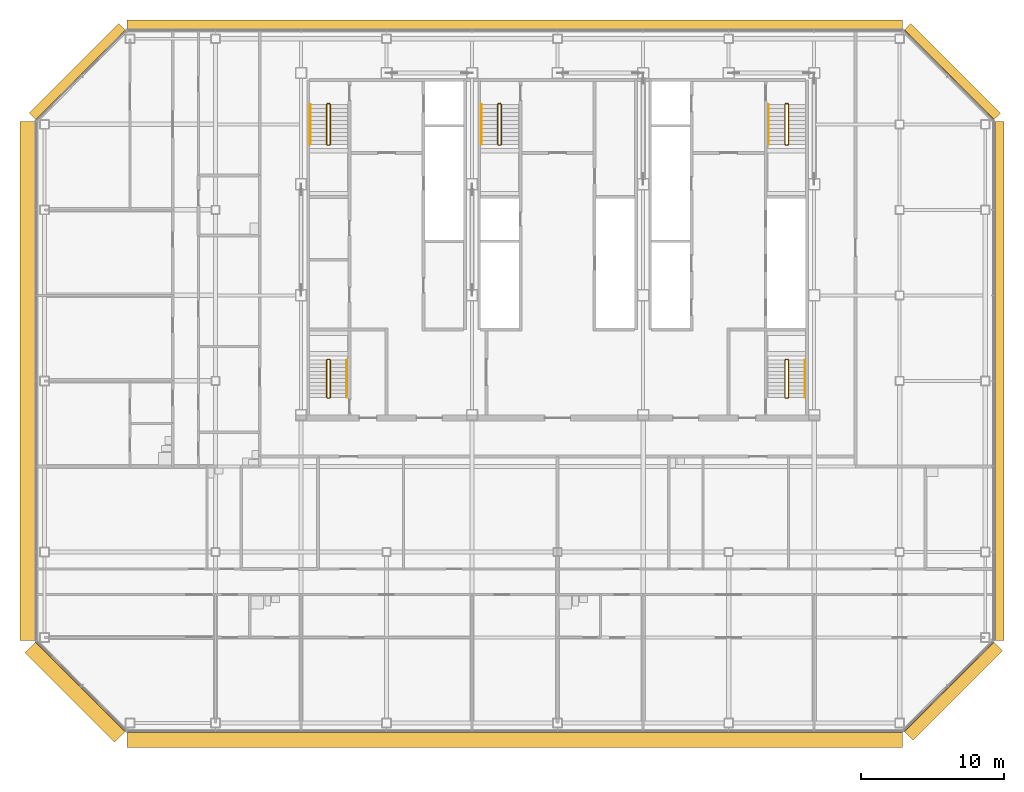
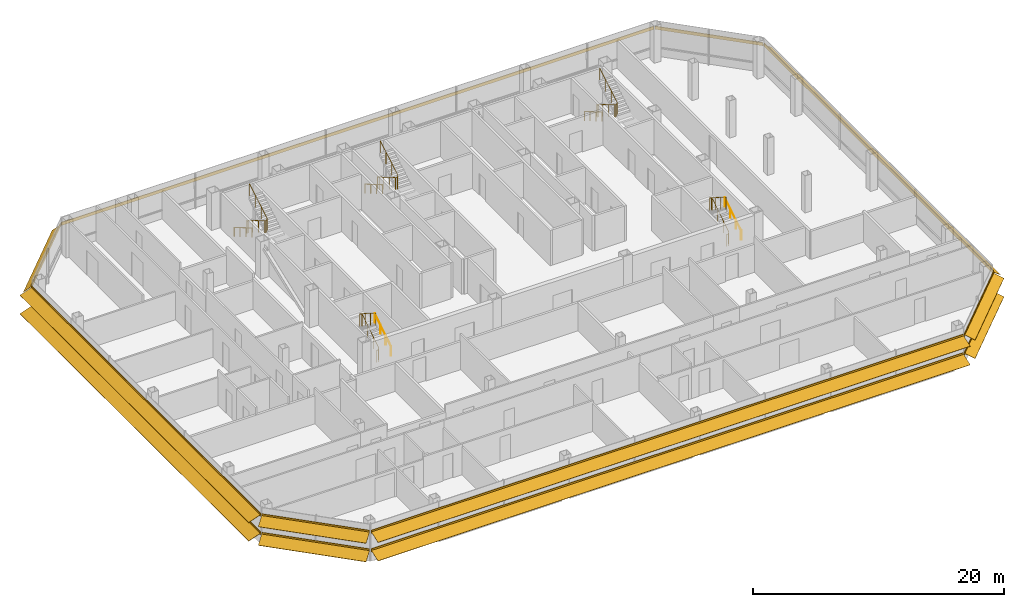
# One storey, part 25 of 26: 10 railings, 8 shading devices.
"""IFC4 building model written with IfcOpenShell, lengths in metres."""

from ifc_helpers import new_model, si_unit, direction, frame, origin, origin_2d, place, context, subcontext, project, spatial, polyline, circle, outline, composite_profile, extrude, material, type_object, element, save


model = new_model("IFC4")

# Units and contexts
model_context = context("Model", 3, precision=1e-05, world=origin(), true_north=direction((0.0, 1.0)))
body_context = subcontext(model_context, "Body", "Model", "MODEL_VIEW")
ifc_project = project(units=[si_unit("LENGTHUNIT", "METRE"), si_unit("AREAUNIT", "SQUARE_METRE"), si_unit("VOLUMEUNIT", "CUBIC_METRE"), si_unit("PLANEANGLEUNIT", "RADIAN"), si_unit("MASSUNIT", "GRAM", prefix="KILO")], contexts=[model_context])

# Site, building, storey
site_placement = place(None, origin())
site = spatial("IfcSite", under=ifc_project, at=site_placement, CompositionType="ELEMENT")
building_placement = place(site_placement, origin())
building = spatial("IfcBuilding", under=site, at=building_placement, Name="Sorahane Residences", CompositionType="ELEMENT")
storey_placement = place(building_placement, frame((0.0, 0.0, 215.39990234375)))
storey = spatial("IfcBuildingStorey", under=building, at=storey_placement, Name="L50", CompositionType="ELEMENT", Elevation=215.39990234375)

# Shading devices
ifc_material_1 = material(Name="Terracotta anodised aluminium", Category="masonry")
shading_device_type_1 = type_object("IfcShadingDeviceType", Name="Louvre sunshade blade E terracotta aluminium 700", PredefinedType="JALOUSIE", material=ifc_material_1)
shading_device_1_placement = place(storey_placement, frame((54.60009765625, 5.801513671875, 2.7001953125), z_axis=(0.0, 1.0, 0.0), x_axis=(-1.0, 0.0, 0.0)))
element("IfcShadingDevice", 1, at=shading_device_1_placement, inside=storey, type_object=shading_device_type_1, Name="Louvre sunshade blade bank E L50 E1", PredefinedType="JALOUSIE", context=body_context, shape_type="SweptSolid", body=[
    extrude(outline(polyline([(-0.719970703125, -0.49365234375), (-0.719970703125, -0.523681640625), (-0.080078125, -0.05859375), (-0.080078125, -0.14990234375), (-0.02001953125, -0.14990234375), (-0.02001953125, -0.014892578125), (-0.02001953125, 0.014892578125), (-0.02001953125, 0.14990234375), (-0.080078125, 0.14990234375), (-0.080078125, -0.028564453125), (-0.719970703125, -0.49365234375)])), origin(), (0.0, 0.0, 1.0), 36.39697265625),
])
ifc_material_2 = material(Name="Terracotta anodised aluminium", Category="masonry")
shading_device_type_2 = type_object("IfcShadingDeviceType", Name="Louvre sunshade blade N terracotta aluminium 700", PredefinedType="JALOUSIE", material=ifc_material_2)
shading_device_2_placement = place(storey_placement, frame((48.198486328125, 48.60009765625, 2.7001953125), z_axis=(-1.0, 0.0, 0.0), x_axis=(0.0, -1.0, 0.0)))
element("IfcShadingDevice", 2, at=shading_device_2_placement, inside=storey, type_object=shading_device_type_2, Name="Louvre sunshade blade bank N L50 N1", PredefinedType="JALOUSIE", context=body_context, shape_type="SweptSolid", body=[
    extrude(outline(polyline([(-0.719970703125, -0.660888671875), (-0.719970703125, -0.69091796875), (-0.080078125, -0.072998046875), (-0.080078125, -0.14990234375), (-0.02001953125, -0.14990234375), (-0.02001953125, -0.014892578125), (-0.02001953125, 0.014892578125), (-0.02001953125, 0.14990234375), (-0.080078125, 0.14990234375), (-0.080078125, -0.04296875), (-0.719970703125, -0.660888671875)])), origin(), (0.0, 0.0, 1.0), 54.39697265625),
])
ifc_material_3 = material(Name="Terracotta anodised aluminium", Category="masonry")
shading_device_type_3 = type_object("IfcShadingDeviceType", Name="Louvre sunshade blade NE terracotta aluminium 700", PredefinedType="JALOUSIE", material=ifc_material_3)
shading_device_3_placement = place(storey_placement, frame((54.564697265625, 42.283935546875, 2.7001953125), z_axis=(-0.707106781187, 0.707106781187, 0.0), x_axis=(-0.707106781187, -0.707106781187, 0.0)))
element("IfcShadingDevice", 3, at=shading_device_3_placement, inside=storey, type_object=shading_device_type_3, Name="Louvre sunshade blade bank NE L50 NE1", PredefinedType="JALOUSIE", context=body_context, shape_type="SweptSolid", body=[
    extrude(outline(polyline([(-0.719970703125, -0.572509765625), (-0.719970703125, -0.602294921875), (-0.080078125, -0.065185546875), (-0.080078125, -0.14990234375), (-0.02001953125, -0.14990234375), (-0.02001953125, -0.014892578125), (-0.02001953125, 0.014892578125), (-0.02001953125, 0.14990234375), (-0.080078125, 0.14990234375), (-0.080078125, -0.035400390625), (-0.719970703125, -0.572509765625)])), origin(), (0.0, 0.0, 1.0), 8.88232421875),
])
ifc_material_4 = material(Name="Terracotta anodised aluminium", Category="masonry")
shading_device_type_4 = type_object("IfcShadingDeviceType", Name="Louvre sunshade blade NW terracotta aluminium 700", PredefinedType="JALOUSIE", material=ifc_material_4)
shading_device_4_placement = place(storey_placement, frame((-6.283935546875, 48.564697265625, 2.7001953125), z_axis=(-0.707106781187, -0.707106781187, 0.0), x_axis=(0.707106781187, -0.707106781187, 0.0)))
element("IfcShadingDevice", 4, at=shading_device_4_placement, inside=storey, type_object=shading_device_type_4, Name="Louvre sunshade blade bank NW L50 NW1", PredefinedType="JALOUSIE", context=body_context, shape_type="SweptSolid", body=[
    extrude(outline(polyline([(-0.719970703125, -0.660888671875), (-0.719970703125, -0.69091796875), (-0.080078125, -0.072998046875), (-0.080078125, -0.14990234375), (-0.02001953125, -0.14990234375), (-0.02001953125, -0.014892578125), (-0.02001953125, 0.014892578125), (-0.02001953125, 0.14990234375), (-0.080078125, 0.14990234375), (-0.080078125, -0.04296875), (-0.719970703125, -0.660888671875)])), origin(), (0.0, 0.0, 1.0), 8.88232421875),
])
ifc_material_5 = material(Name="Terracotta anodised aluminium", Category="masonry")
shading_device_type_5 = type_object("IfcShadingDeviceType", Name="Louvre sunshade blade S terracotta aluminium 1100", PredefinedType="JALOUSIE", material=ifc_material_5)
shading_device_5_placement = place(storey_placement, frame((-6.198486328125, -0.60009765625, 0.900146484375), z_axis=(1.0, 0.0, 0.0), x_axis=(0.0, 1.0, 0.0)))
element("IfcShadingDevice", 5, at=shading_device_5_placement, inside=storey, type_object=shading_device_type_5, Name="Louvre sunshade blade bank S L50 S1", PredefinedType="JALOUSIE", context=body_context, shape_type="SweptSolid", body=[
    extrude(composite_profile([outline(polyline([(-1.1201171875, -0.385498046875), (-1.1201171875, -0.415283203125), (-0.080078125, -0.036865234375), (-0.080078125, -0.14990234375), (-0.02001953125, -0.14990234375), (-0.02001953125, -0.014892578125), (-0.02001953125, 0.014892578125), (-0.02001953125, 0.14990234375), (-0.080078125, 0.14990234375), (-0.080078125, -0.0068359375), (-1.1201171875, -0.385498046875)])), outline(polyline([(-1.1201171875, 1.41455078125), (-1.1201171875, 1.384521484375), (-0.080078125, 1.76318359375), (-0.080078125, 1.64990234375), (-0.02001953125, 1.64990234375), (-0.02001953125, 1.784912109375), (-0.02001953125, 1.81494140625), (-0.02001953125, 1.949951171875), (-0.080078125, 1.949951171875), (-0.080078125, 1.793212890625), (-1.1201171875, 1.41455078125)]))]), origin(), (0.0, 0.0, 1.0), 54.39697265625),
])
ifc_material_6 = material(Name="Terracotta anodised aluminium", Category="masonry")
shading_device_type_6 = type_object("IfcShadingDeviceType", Name="Louvre sunshade blade SE terracotta aluminium 900", PredefinedType="JALOUSIE", material=ifc_material_6)
shading_device_6_placement = place(storey_placement, frame((48.283935546875, -0.564697265625, 0.900146484375), z_axis=(0.707106781187, 0.707106781187, 0.0), x_axis=(-0.707106781187, 0.707106781187, 0.0)))
element("IfcShadingDevice", 6, at=shading_device_6_placement, inside=storey, type_object=shading_device_type_6, Name="Louvre sunshade blade bank SE L50 SE1", PredefinedType="JALOUSIE", context=body_context, shape_type="SweptSolid", body=[
    extrude(composite_profile([outline(polyline([(-0.919921875, -0.3486328125), (-0.919921875, -0.378662109375), (-0.080078125, -0.039306640625), (-0.080078125, -0.14990234375), (-0.02001953125, -0.14990234375), (-0.02001953125, -0.014892578125), (-0.02001953125, 0.014892578125), (-0.02001953125, 0.14990234375), (-0.080078125, 0.14990234375), (-0.080078125, -0.00927734375), (-0.919921875, -0.3486328125)])), outline(polyline([(-0.919921875, 1.451416015625), (-0.919921875, 1.42138671875), (-0.080078125, 1.7607421875), (-0.080078125, 1.64990234375), (-0.02001953125, 1.64990234375), (-0.02001953125, 1.784912109375), (-0.02001953125, 1.81494140625), (-0.02001953125, 1.949951171875), (-0.080078125, 1.949951171875), (-0.080078125, 1.790771484375), (-0.919921875, 1.451416015625)]))]), origin(), (0.0, 0.0, 1.0), 8.88232421875),
])
ifc_material_7 = material(Name="Terracotta anodised aluminium", Category="masonry")
shading_device_type_7 = type_object("IfcShadingDeviceType", Name="Louvre sunshade blade SW terracotta aluminium 1100", PredefinedType="JALOUSIE", material=ifc_material_7)
shading_device_7_placement = place(storey_placement, frame((-12.564697265625, 5.716064453125, 0.900146484375), z_axis=(0.707106781187, -0.707106781187, 0.0), x_axis=(0.707106781187, 0.707106781187, 0.0)))
element("IfcShadingDevice", 7, at=shading_device_7_placement, inside=storey, type_object=shading_device_type_7, Name="Louvre sunshade blade bank SW L50 SW1", PredefinedType="JALOUSIE", context=body_context, shape_type="SweptSolid", body=[
    extrude(composite_profile([outline(polyline([(-1.1201171875, -0.385498046875), (-1.1201171875, -0.415283203125), (-0.080078125, -0.036865234375), (-0.080078125, -0.14990234375), (-0.02001953125, -0.14990234375), (-0.02001953125, -0.014892578125), (-0.02001953125, 0.014892578125), (-0.02001953125, 0.14990234375), (-0.080078125, 0.14990234375), (-0.080078125, -0.0068359375), (-1.1201171875, -0.385498046875)])), outline(polyline([(-1.1201171875, 1.41455078125), (-1.1201171875, 1.384521484375), (-0.080078125, 1.76318359375), (-0.080078125, 1.64990234375), (-0.02001953125, 1.64990234375), (-0.02001953125, 1.784912109375), (-0.02001953125, 1.81494140625), (-0.02001953125, 1.949951171875), (-0.080078125, 1.949951171875), (-0.080078125, 1.793212890625), (-1.1201171875, 1.41455078125)]))]), origin(), (0.0, 0.0, 1.0), 8.88232421875),
])
ifc_material_8 = material(Name="Terracotta anodised aluminium", Category="masonry")
shading_device_type_8 = type_object("IfcShadingDeviceType", Name="Louvre sunshade blade W terracotta aluminium 1100", PredefinedType="JALOUSIE", material=ifc_material_8)
shading_device_8_placement = place(storey_placement, frame((-12.60009765625, 42.198486328125, 0.900146484375), z_axis=(0.0, -1.0, 0.0), x_axis=(1.0, 0.0, 0.0)))
element("IfcShadingDevice", 8, at=shading_device_8_placement, inside=storey, type_object=shading_device_type_8, Name="Louvre sunshade blade bank W L50 W1", PredefinedType="JALOUSIE", context=body_context, shape_type="SweptSolid", body=[
    extrude(composite_profile([outline(polyline([(-1.1201171875, -0.385498046875), (-1.1201171875, -0.415283203125), (-0.080078125, -0.036865234375), (-0.080078125, -0.14990234375), (-0.02001953125, -0.14990234375), (-0.02001953125, -0.014892578125), (-0.02001953125, 0.014892578125), (-0.02001953125, 0.14990234375), (-0.080078125, 0.14990234375), (-0.080078125, -0.0068359375), (-1.1201171875, -0.385498046875)])), outline(polyline([(-1.1201171875, 1.41455078125), (-1.1201171875, 1.384521484375), (-0.080078125, 1.76318359375), (-0.080078125, 1.64990234375), (-0.02001953125, 1.64990234375), (-0.02001953125, 1.784912109375), (-0.02001953125, 1.81494140625), (-0.02001953125, 1.949951171875), (-0.080078125, 1.949951171875), (-0.080078125, 1.793212890625), (-1.1201171875, 1.41455078125)]))]), origin(), (0.0, 0.0, 1.0), 36.39697265625),
])

# Railings
ifc_material_9 = material(Name="Steel Q355B", Category="steel")
railing_type_1 = type_object("IfcRailingType", Name="Stair guard 1200 Steel Q355B", PredefinedType="GUARDRAIL", material=ifc_material_9)
railing_1_placement = place(storey_placement, frame((8.0, 43.449951171875, 0.0)))
element("IfcRailing", 9, at=railing_1_placement, inside=storey, type_object=railing_type_1, Name="L50 S1 stair guard 1", PredefinedType="GUARDRAIL", context=body_context, shape_type="SweptSolid", body=[
    extrude(circle(Radius=0.02392578125, at=origin_2d()), frame((0.0, 0.0, 1.17578125), z_axis=(-1.0, 0.0, 0.0), x_axis=(0.0, -1.0, 0.0)), (0.0, 0.0, 1.0), 0.14990234375),
    extrude(circle(Radius=0.02392578125, at=origin_2d()), frame((-0.14990234375, 0.0, 1.17578125), z_axis=(-0.280456126637, -0.280456126637, 0.917980785237), x_axis=(0.707106781187, -0.707106781187, 0.0)), (0.0, 0.0, 1.0), 0.178466796875),
    extrude(circle(Radius=0.02392578125, at=origin_2d()), frame((-0.199951171875, -0.050048828125, 1.33984375), z_axis=(0.0, -0.863374499697, 0.504563646405), x_axis=(1.0, 0.0, 0.0)), (0.0, 0.0, 1.0), 3.242919921875),
    extrude(circle(Radius=0.02392578125, at=origin_2d()), frame((-0.199951171875, -2.849853515625, 2.97607421875), z_axis=(0.707106781187, -0.707106781187, 0.0), x_axis=(0.707106781187, 0.707106781187, 0.0)), (0.0, 0.0, 1.0), 0.07080078125),
    extrude(circle(Radius=0.02392578125, at=origin_2d()), frame((-0.14990234375, -2.89990234375, 2.97607421875), z_axis=(1.0, 0.0, 0.0), x_axis=(0.0, 1.0, 0.0)), (0.0, 0.0, 1.0), 0.14990234375),
    extrude(circle(Radius=0.02392578125, at=origin_2d()), frame((0.0, -2.89990234375, 2.97607421875), z_axis=(0.280808744504, 0.280808744504, 0.917765164963), x_axis=(-0.707106781187, 0.707106781187, 0.0)), (0.0, 0.0, 1.0), 0.17822265625),
    extrude(circle(Radius=0.02392578125, at=origin_2d()), frame((0.050048828125, -2.849853515625, 3.1396484375), z_axis=(0.0, 0.863341702679, 0.504619762213), x_axis=(-1.0, 0.0, 0.0)), (0.0, 0.0, 1.0), 3.242919921875),
    extrude(circle(Radius=0.02099609375, at=origin_2d()), origin(), (0.0, 0.0, 1.0), 1.15185546875),
    extrude(circle(Radius=0.02099609375, at=origin_2d()), frame((-0.14990234375, 0.0, 0.0)), (0.0, 0.0, 1.0), 1.15185546875),
    extrude(circle(Radius=0.02099609375, at=origin_2d()), frame((-0.199951171875, -0.050048828125, 0.163818359375)), (0.0, 0.0, 1.0), 1.15185546875),
    extrude(circle(Radius=0.02099609375, at=origin_2d()), frame((-0.199951171875, -0.9833984375, 0.709228515625)), (0.0, 0.0, 1.0), 1.15185546875),
    extrude(circle(Radius=0.02099609375, at=origin_2d()), frame((-0.199951171875, -1.91650390625, 1.254638671875)), (0.0, 0.0, 1.0), 1.15185546875),
    extrude(circle(Radius=0.02099609375, at=origin_2d()), frame((-0.199951171875, -2.849853515625, 1.800048828125)), (0.0, 0.0, 1.0), 1.15185546875),
    extrude(circle(Radius=0.02099609375, at=origin_2d()), frame((-0.14990234375, -2.89990234375, 1.800048828125)), (0.0, 0.0, 1.0), 1.15185546875),
    extrude(circle(Radius=0.02099609375, at=origin_2d()), frame((0.0, -2.89990234375, 1.800048828125)), (0.0, 0.0, 1.0), 1.15185546875),
    extrude(circle(Radius=0.02099609375, at=origin_2d()), frame((0.050048828125, -2.849853515625, 1.963623046875)), (0.0, 0.0, 1.0), 1.15185546875),
    extrude(circle(Radius=0.02099609375, at=origin_2d()), frame((0.050048828125, -1.91650390625, 2.509033203125)), (0.0, 0.0, 1.0), 1.15185546875),
    extrude(circle(Radius=0.02099609375, at=origin_2d()), frame((0.050048828125, -0.9833984375, 3.0546875)), (0.0, 0.0, 1.0), 1.15185546875),
    extrude(circle(Radius=0.02099609375, at=origin_2d()), frame((0.050048828125, -0.050048828125, 3.60009765625)), (0.0, 0.0, 1.0), 1.15185546875),
])
railing_2_placement = place(storey_placement, frame((40.14990234375, 43.449951171875, 0.0)))
element("IfcRailing", 10, at=railing_2_placement, inside=storey, type_object=railing_type_1, Name="L50 S2 stair guard 1", PredefinedType="GUARDRAIL", context=body_context, shape_type="SweptSolid", body=[
    extrude(circle(Radius=0.02392578125, at=origin_2d()), frame((0.0, 0.0, 1.17578125), z_axis=(-1.0, 0.0, 0.0), x_axis=(0.0, -1.0, 0.0)), (0.0, 0.0, 1.0), 0.14990234375),
    extrude(circle(Radius=0.02392578125, at=origin_2d()), frame((-0.14990234375, 0.0, 1.17578125), z_axis=(-0.280456126637, -0.280456126637, 0.917980785237), x_axis=(0.707106781187, -0.707106781187, 0.0)), (0.0, 0.0, 1.0), 0.178466796875),
    extrude(circle(Radius=0.02392578125, at=origin_2d()), frame((-0.199951171875, -0.050048828125, 1.33984375), z_axis=(0.0, -0.863374499697, 0.504563646405), x_axis=(1.0, 0.0, 0.0)), (0.0, 0.0, 1.0), 3.242919921875),
    extrude(circle(Radius=0.02392578125, at=origin_2d()), frame((-0.199951171875, -2.849853515625, 2.97607421875), z_axis=(0.707106781187, -0.707106781187, 0.0), x_axis=(0.707106781187, 0.707106781187, 0.0)), (0.0, 0.0, 1.0), 0.07080078125),
    extrude(circle(Radius=0.02392578125, at=origin_2d()), frame((-0.14990234375, -2.89990234375, 2.97607421875), z_axis=(1.0, 0.0, 0.0), x_axis=(0.0, 1.0, 0.0)), (0.0, 0.0, 1.0), 0.14990234375),
    extrude(circle(Radius=0.02392578125, at=origin_2d()), frame((0.0, -2.89990234375, 2.97607421875), z_axis=(0.280808744504, 0.280808744504, 0.917765164963), x_axis=(-0.707106781187, 0.707106781187, 0.0)), (0.0, 0.0, 1.0), 0.17822265625),
    extrude(circle(Radius=0.02392578125, at=origin_2d()), frame((0.050048828125, -2.849853515625, 3.1396484375), z_axis=(0.0, 0.863341702679, 0.504619762213), x_axis=(-1.0, 0.0, 0.0)), (0.0, 0.0, 1.0), 3.242919921875),
    extrude(circle(Radius=0.02099609375, at=origin_2d()), origin(), (0.0, 0.0, 1.0), 1.15185546875),
    extrude(circle(Radius=0.02099609375, at=origin_2d()), frame((-0.14990234375, 0.0, 0.0)), (0.0, 0.0, 1.0), 1.15185546875),
    extrude(circle(Radius=0.02099609375, at=origin_2d()), frame((-0.199951171875, -0.050048828125, 0.163818359375)), (0.0, 0.0, 1.0), 1.15185546875),
    extrude(circle(Radius=0.02099609375, at=origin_2d()), frame((-0.199951171875, -0.9833984375, 0.709228515625)), (0.0, 0.0, 1.0), 1.15185546875),
    extrude(circle(Radius=0.02099609375, at=origin_2d()), frame((-0.199951171875, -1.91650390625, 1.254638671875)), (0.0, 0.0, 1.0), 1.15185546875),
    extrude(circle(Radius=0.02099609375, at=origin_2d()), frame((-0.199951171875, -2.849853515625, 1.800048828125)), (0.0, 0.0, 1.0), 1.15185546875),
    extrude(circle(Radius=0.02099609375, at=origin_2d()), frame((-0.14990234375, -2.89990234375, 1.800048828125)), (0.0, 0.0, 1.0), 1.15185546875),
    extrude(circle(Radius=0.02099609375, at=origin_2d()), frame((0.0, -2.89990234375, 1.800048828125)), (0.0, 0.0, 1.0), 1.15185546875),
    extrude(circle(Radius=0.02099609375, at=origin_2d()), frame((0.050048828125, -2.849853515625, 1.963623046875)), (0.0, 0.0, 1.0), 1.15185546875),
    extrude(circle(Radius=0.02099609375, at=origin_2d()), frame((0.050048828125, -1.91650390625, 2.509033203125)), (0.0, 0.0, 1.0), 1.15185546875),
    extrude(circle(Radius=0.02099609375, at=origin_2d()), frame((0.050048828125, -0.9833984375, 3.0546875)), (0.0, 0.0, 1.0), 1.15185546875),
    extrude(circle(Radius=0.02099609375, at=origin_2d()), frame((0.050048828125, -0.050048828125, 3.60009765625)), (0.0, 0.0, 1.0), 1.15185546875),
])
railing_3_placement = place(storey_placement, frame((20.0, 43.449951171875, 0.0)))
element("IfcRailing", 11, at=railing_3_placement, inside=storey, type_object=railing_type_1, Name="L50 S3 stair guard 1", PredefinedType="GUARDRAIL", context=body_context, shape_type="SweptSolid", body=[
    extrude(circle(Radius=0.02392578125, at=origin_2d()), frame((0.0, 0.0, 1.17578125), z_axis=(-1.0, 0.0, 0.0), x_axis=(0.0, -1.0, 0.0)), (0.0, 0.0, 1.0), 0.14990234375),
    extrude(circle(Radius=0.02392578125, at=origin_2d()), frame((-0.14990234375, 0.0, 1.17578125), z_axis=(-0.280456126637, -0.280456126637, 0.917980785237), x_axis=(0.707106781187, -0.707106781187, 0.0)), (0.0, 0.0, 1.0), 0.178466796875),
    extrude(circle(Radius=0.02392578125, at=origin_2d()), frame((-0.199951171875, -0.050048828125, 1.33984375), z_axis=(0.0, -0.863374499697, 0.504563646405), x_axis=(1.0, 0.0, 0.0)), (0.0, 0.0, 1.0), 3.242919921875),
    extrude(circle(Radius=0.02392578125, at=origin_2d()), frame((-0.199951171875, -2.849853515625, 2.97607421875), z_axis=(0.707106781187, -0.707106781187, 0.0), x_axis=(0.707106781187, 0.707106781187, 0.0)), (0.0, 0.0, 1.0), 0.07080078125),
    extrude(circle(Radius=0.02392578125, at=origin_2d()), frame((-0.14990234375, -2.89990234375, 2.97607421875), z_axis=(1.0, 0.0, 0.0), x_axis=(0.0, 1.0, 0.0)), (0.0, 0.0, 1.0), 0.14990234375),
    extrude(circle(Radius=0.02392578125, at=origin_2d()), frame((0.0, -2.89990234375, 2.97607421875), z_axis=(0.280808744504, 0.280808744504, 0.917765164963), x_axis=(-0.707106781187, 0.707106781187, 0.0)), (0.0, 0.0, 1.0), 0.17822265625),
    extrude(circle(Radius=0.02392578125, at=origin_2d()), frame((0.050048828125, -2.849853515625, 3.1396484375), z_axis=(0.0, 0.863341702679, 0.504619762213), x_axis=(-1.0, 0.0, 0.0)), (0.0, 0.0, 1.0), 3.242919921875),
    extrude(circle(Radius=0.02099609375, at=origin_2d()), origin(), (0.0, 0.0, 1.0), 1.15185546875),
    extrude(circle(Radius=0.02099609375, at=origin_2d()), frame((-0.14990234375, 0.0, 0.0)), (0.0, 0.0, 1.0), 1.15185546875),
    extrude(circle(Radius=0.02099609375, at=origin_2d()), frame((-0.199951171875, -0.050048828125, 0.163818359375)), (0.0, 0.0, 1.0), 1.15185546875),
    extrude(circle(Radius=0.02099609375, at=origin_2d()), frame((-0.199951171875, -0.9833984375, 0.709228515625)), (0.0, 0.0, 1.0), 1.15185546875),
    extrude(circle(Radius=0.02099609375, at=origin_2d()), frame((-0.199951171875, -1.91650390625, 1.254638671875)), (0.0, 0.0, 1.0), 1.15185546875),
    extrude(circle(Radius=0.02099609375, at=origin_2d()), frame((-0.199951171875, -2.849853515625, 1.800048828125)), (0.0, 0.0, 1.0), 1.15185546875),
    extrude(circle(Radius=0.02099609375, at=origin_2d()), frame((-0.14990234375, -2.89990234375, 1.800048828125)), (0.0, 0.0, 1.0), 1.15185546875),
    extrude(circle(Radius=0.02099609375, at=origin_2d()), frame((0.0, -2.89990234375, 1.800048828125)), (0.0, 0.0, 1.0), 1.15185546875),
    extrude(circle(Radius=0.02099609375, at=origin_2d()), frame((0.050048828125, -2.849853515625, 1.963623046875)), (0.0, 0.0, 1.0), 1.15185546875),
    extrude(circle(Radius=0.02099609375, at=origin_2d()), frame((0.050048828125, -1.91650390625, 2.509033203125)), (0.0, 0.0, 1.0), 1.15185546875),
    extrude(circle(Radius=0.02099609375, at=origin_2d()), frame((0.050048828125, -0.9833984375, 3.0546875)), (0.0, 0.0, 1.0), 1.15185546875),
    extrude(circle(Radius=0.02099609375, at=origin_2d()), frame((0.050048828125, -0.050048828125, 3.60009765625)), (0.0, 0.0, 1.0), 1.15185546875),
])
railing_4_placement = place(storey_placement, frame((7.85009765625, 22.800048828125, 0.0)))
element("IfcRailing", 12, at=railing_4_placement, inside=storey, type_object=railing_type_1, Name="L50 S4 stair guard 1", PredefinedType="GUARDRAIL", context=body_context, shape_type="SweptSolid", body=[
    extrude(circle(Radius=0.02392578125, at=origin_2d()), frame((0.0, 0.0, 1.17578125), z_axis=(1.0, 0.0, 0.0), x_axis=(0.0, 1.0, 0.0)), (0.0, 0.0, 1.0), 0.14990234375),
    extrude(circle(Radius=0.02392578125, at=origin_2d()), frame((0.14990234375, 0.0, 1.17578125), z_axis=(0.280456126637, 0.280456126637, 0.917980785237), x_axis=(-0.707106781187, 0.707106781187, 0.0)), (0.0, 0.0, 1.0), 0.178466796875),
    extrude(circle(Radius=0.02392578125, at=origin_2d()), frame((0.199951171875, 0.050048828125, 1.33984375), z_axis=(0.0, 0.846337672412, 0.532646734952), x_axis=(-1.0, 0.0, 0.0)), (0.0, 0.0, 1.0), 3.07177734375),
    extrude(circle(Radius=0.02392578125, at=origin_2d()), frame((0.199951171875, 2.64990234375, 2.97607421875), z_axis=(-0.707106781187, 0.707106781187, 0.0), x_axis=(-0.707106781187, -0.707106781187, 0.0)), (0.0, 0.0, 1.0), 0.07080078125),
    extrude(circle(Radius=0.02392578125, at=origin_2d()), frame((0.14990234375, 2.699951171875, 2.97607421875), z_axis=(-1.0, 0.0, 0.0), x_axis=(0.0, -1.0, 0.0)), (0.0, 0.0, 1.0), 0.14990234375),
    extrude(circle(Radius=0.02392578125, at=origin_2d()), frame((0.0, 2.699951171875, 2.97607421875), z_axis=(-0.280808744504, -0.280808744504, 0.917765164963), x_axis=(0.707106781187, -0.707106781187, 0.0)), (0.0, 0.0, 1.0), 0.17822265625),
    extrude(circle(Radius=0.02392578125, at=origin_2d()), frame((-0.050048828125, 2.64990234375, 3.1396484375), z_axis=(0.0, -0.846301844409, 0.532703658848), x_axis=(1.0, 0.0, 0.0)), (0.0, 0.0, 1.0), 3.072021484375),
    extrude(circle(Radius=0.02099609375, at=origin_2d()), origin(), (0.0, 0.0, 1.0), 1.15185546875),
    extrude(circle(Radius=0.02099609375, at=origin_2d()), frame((0.14990234375, 0.0, 0.0)), (0.0, 0.0, 1.0), 1.15185546875),
    extrude(circle(Radius=0.02099609375, at=origin_2d()), frame((0.199951171875, 0.050048828125, 0.163818359375)), (0.0, 0.0, 1.0), 1.15185546875),
    extrude(circle(Radius=0.02099609375, at=origin_2d()), frame((0.199951171875, 0.916748046875, 0.709228515625)), (0.0, 0.0, 1.0), 1.15185546875),
    extrude(circle(Radius=0.02099609375, at=origin_2d()), frame((0.199951171875, 1.783203125, 1.254638671875)), (0.0, 0.0, 1.0), 1.15185546875),
    extrude(circle(Radius=0.02099609375, at=origin_2d()), frame((0.199951171875, 2.64990234375, 1.800048828125)), (0.0, 0.0, 1.0), 1.15185546875),
    extrude(circle(Radius=0.02099609375, at=origin_2d()), frame((0.14990234375, 2.699951171875, 1.800048828125)), (0.0, 0.0, 1.0), 1.15185546875),
    extrude(circle(Radius=0.02099609375, at=origin_2d()), frame((0.0, 2.699951171875, 1.800048828125)), (0.0, 0.0, 1.0), 1.15185546875),
    extrude(circle(Radius=0.02099609375, at=origin_2d()), frame((-0.050048828125, 2.64990234375, 1.963623046875)), (0.0, 0.0, 1.0), 1.15185546875),
    extrude(circle(Radius=0.02099609375, at=origin_2d()), frame((-0.050048828125, 1.783203125, 2.509033203125)), (0.0, 0.0, 1.0), 1.15185546875),
    extrude(circle(Radius=0.02099609375, at=origin_2d()), frame((-0.050048828125, 0.916748046875, 3.0546875)), (0.0, 0.0, 1.0), 1.15185546875),
    extrude(circle(Radius=0.02099609375, at=origin_2d()), frame((-0.050048828125, 0.050048828125, 3.60009765625)), (0.0, 0.0, 1.0), 1.15185546875),
])
railing_5_placement = place(storey_placement, frame((40.0, 22.800048828125, 0.0)))
element("IfcRailing", 13, at=railing_5_placement, inside=storey, type_object=railing_type_1, Name="L50 S5 stair guard 1", PredefinedType="GUARDRAIL", context=body_context, shape_type="SweptSolid", body=[
    extrude(circle(Radius=0.02392578125, at=origin_2d()), frame((0.0, 0.0, 1.17578125), z_axis=(1.0, 0.0, 0.0), x_axis=(0.0, 1.0, 0.0)), (0.0, 0.0, 1.0), 0.14990234375),
    extrude(circle(Radius=0.02392578125, at=origin_2d()), frame((0.14990234375, 0.0, 1.17578125), z_axis=(0.280456126637, 0.280456126637, 0.917980785237), x_axis=(-0.707106781187, 0.707106781187, 0.0)), (0.0, 0.0, 1.0), 0.178466796875),
    extrude(circle(Radius=0.02392578125, at=origin_2d()), frame((0.199951171875, 0.050048828125, 1.33984375), z_axis=(0.0, 0.846337672412, 0.532646734952), x_axis=(-1.0, 0.0, 0.0)), (0.0, 0.0, 1.0), 3.07177734375),
    extrude(circle(Radius=0.02392578125, at=origin_2d()), frame((0.199951171875, 2.64990234375, 2.97607421875), z_axis=(-0.707106781187, 0.707106781187, 0.0), x_axis=(-0.707106781187, -0.707106781187, 0.0)), (0.0, 0.0, 1.0), 0.07080078125),
    extrude(circle(Radius=0.02392578125, at=origin_2d()), frame((0.14990234375, 2.699951171875, 2.97607421875), z_axis=(-1.0, 0.0, 0.0), x_axis=(0.0, -1.0, 0.0)), (0.0, 0.0, 1.0), 0.14990234375),
    extrude(circle(Radius=0.02392578125, at=origin_2d()), frame((0.0, 2.699951171875, 2.97607421875), z_axis=(-0.280808744504, -0.280808744504, 0.917765164963), x_axis=(0.707106781187, -0.707106781187, 0.0)), (0.0, 0.0, 1.0), 0.17822265625),
    extrude(circle(Radius=0.02392578125, at=origin_2d()), frame((-0.050048828125, 2.64990234375, 3.1396484375), z_axis=(0.0, -0.846301844409, 0.532703658848), x_axis=(1.0, 0.0, 0.0)), (0.0, 0.0, 1.0), 3.072021484375),
    extrude(circle(Radius=0.02099609375, at=origin_2d()), origin(), (0.0, 0.0, 1.0), 1.15185546875),
    extrude(circle(Radius=0.02099609375, at=origin_2d()), frame((0.14990234375, 0.0, 0.0)), (0.0, 0.0, 1.0), 1.15185546875),
    extrude(circle(Radius=0.02099609375, at=origin_2d()), frame((0.199951171875, 0.050048828125, 0.163818359375)), (0.0, 0.0, 1.0), 1.15185546875),
    extrude(circle(Radius=0.02099609375, at=origin_2d()), frame((0.199951171875, 0.916748046875, 0.709228515625)), (0.0, 0.0, 1.0), 1.15185546875),
    extrude(circle(Radius=0.02099609375, at=origin_2d()), frame((0.199951171875, 1.783203125, 1.254638671875)), (0.0, 0.0, 1.0), 1.15185546875),
    extrude(circle(Radius=0.02099609375, at=origin_2d()), frame((0.199951171875, 2.64990234375, 1.800048828125)), (0.0, 0.0, 1.0), 1.15185546875),
    extrude(circle(Radius=0.02099609375, at=origin_2d()), frame((0.14990234375, 2.699951171875, 1.800048828125)), (0.0, 0.0, 1.0), 1.15185546875),
    extrude(circle(Radius=0.02099609375, at=origin_2d()), frame((0.0, 2.699951171875, 1.800048828125)), (0.0, 0.0, 1.0), 1.15185546875),
    extrude(circle(Radius=0.02099609375, at=origin_2d()), frame((-0.050048828125, 2.64990234375, 1.963623046875)), (0.0, 0.0, 1.0), 1.15185546875),
    extrude(circle(Radius=0.02099609375, at=origin_2d()), frame((-0.050048828125, 1.783203125, 2.509033203125)), (0.0, 0.0, 1.0), 1.15185546875),
    extrude(circle(Radius=0.02099609375, at=origin_2d()), frame((-0.050048828125, 0.916748046875, 3.0546875)), (0.0, 0.0, 1.0), 1.15185546875),
    extrude(circle(Radius=0.02099609375, at=origin_2d()), frame((-0.050048828125, 0.050048828125, 3.60009765625)), (0.0, 0.0, 1.0), 1.15185546875),
])
ifc_material_10 = material(Name="Steel Q355B", Category="steel")
railing_type_2 = type_object("IfcRailingType", Name="Stair handrail 900 Steel Q355B", PredefinedType="HANDRAIL", material=ifc_material_10)
for number, where, name in (
    (14, (6.64990234375, 43.39990234375, 0.163818359375), "L50 S1 stair handrail 1"),
    (15, (38.800048828125, 43.39990234375, 0.163818359375), "L50 S2 stair handrail 1"),
    (16, (18.64990234375, 43.39990234375, 0.163818359375), "L50 S3 stair handrail 1"),
):
    element("IfcRailing", number, at=place(storey_placement, frame(where)), inside=storey, type_object=railing_type_2, Name=name, PredefinedType="HANDRAIL", context=body_context, shape_type="SweptSolid", body=[
        extrude(circle(Radius=0.02392578125, at=origin_2d()), frame((0.0, 0.0, 0.8759765625), z_axis=(0.0, -0.863374499697, 0.504563646405), x_axis=(1.0, 0.0, 0.0)), (0.0, 0.0, 1.0), 3.242919921875),
        extrude(circle(Radius=0.02099609375, at=origin_2d()), origin(), (0.0, 0.0, 1.0), 0.851806640625),
        extrude(circle(Radius=0.02099609375, at=origin_2d()), frame((0.0, -0.933349609375, 0.54541015625)), (0.0, 0.0, 1.0), 0.851806640625),
        extrude(circle(Radius=0.02099609375, at=origin_2d()), frame((0.0, -1.866455078125, 1.0908203125)), (0.0, 0.0, 1.0), 0.851806640625),
        extrude(circle(Radius=0.02099609375, at=origin_2d()), frame((0.0, -2.7998046875, 1.63623046875)), (0.0, 0.0, 1.0), 0.851806640625),
    ])
for number, where, name in (
    (17, (9.199951171875, 22.85009765625, 0.163818359375), "L50 S4 stair handrail 1"),
    (18, (41.35009765625, 22.85009765625, 0.163818359375), "L50 S5 stair handrail 1"),
):
    element("IfcRailing", number, at=place(storey_placement, frame(where)), inside=storey, type_object=railing_type_2, Name=name, PredefinedType="HANDRAIL", context=body_context, shape_type="SweptSolid", body=[
        extrude(circle(Radius=0.02392578125, at=origin_2d()), frame((0.0, 0.0, 0.8759765625), z_axis=(0.0, 0.846337672412, 0.532646734952), x_axis=(-1.0, 0.0, 0.0)), (0.0, 0.0, 1.0), 3.07177734375),
        extrude(circle(Radius=0.02099609375, at=origin_2d()), origin(), (0.0, 0.0, 1.0), 0.851806640625),
        extrude(circle(Radius=0.02099609375, at=origin_2d()), frame((0.0, 0.86669921875, 0.54541015625)), (0.0, 0.0, 1.0), 0.851806640625),
        extrude(circle(Radius=0.02099609375, at=origin_2d()), frame((0.0, 1.733154296875, 1.0908203125)), (0.0, 0.0, 1.0), 0.851806640625),
        extrude(circle(Radius=0.02099609375, at=origin_2d()), frame((0.0, 2.599853515625, 1.63623046875)), (0.0, 0.0, 1.0), 0.851806640625),
    ])

save(model, "model.ifc")
